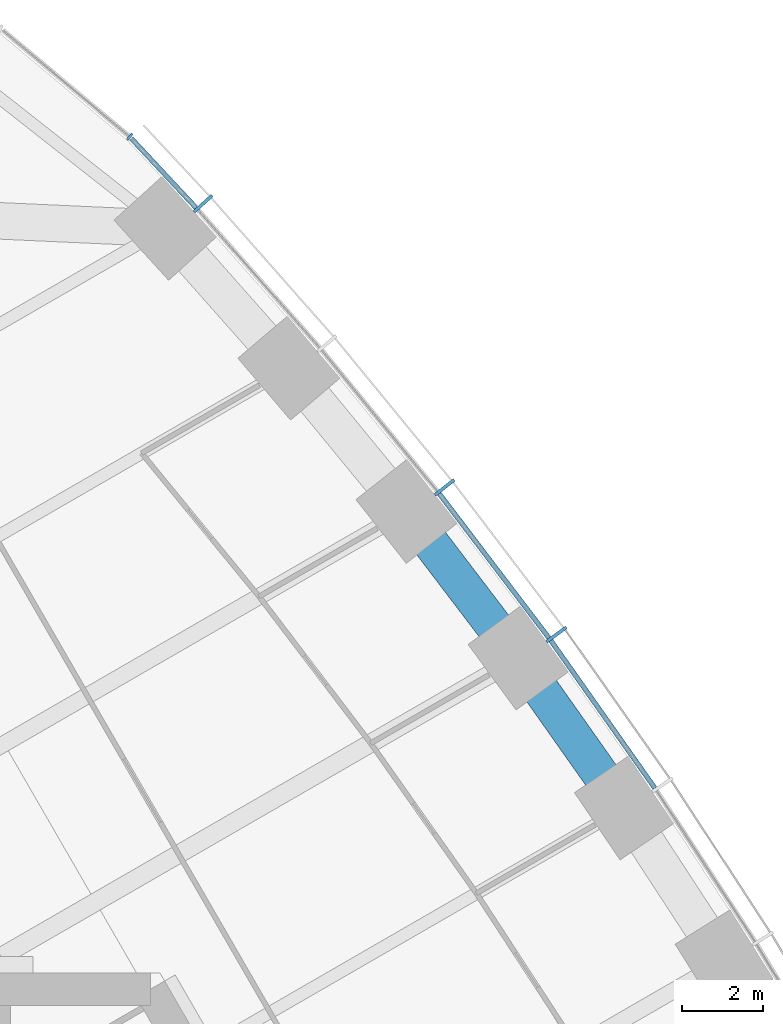
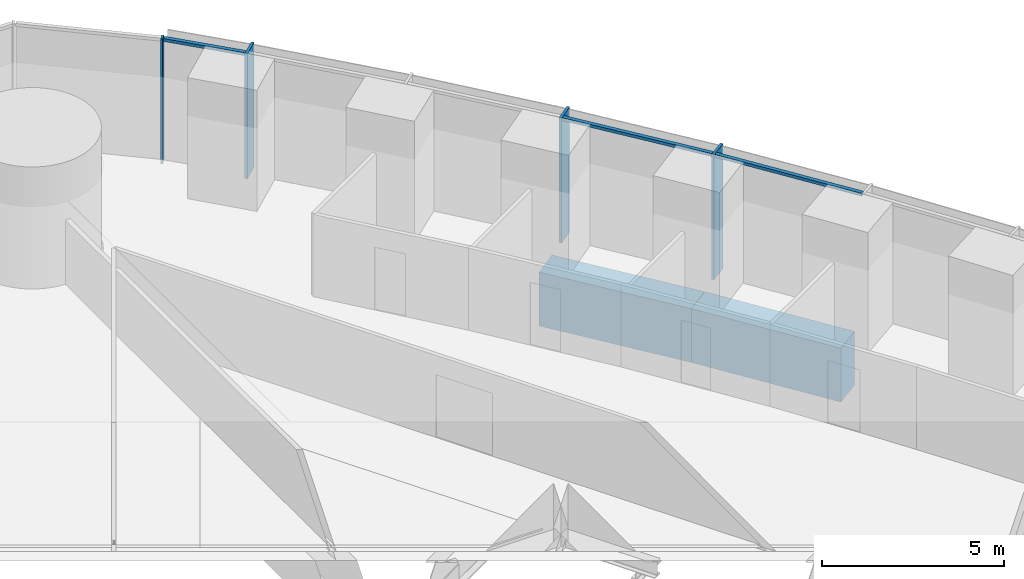
# One storey, part 6 of 19: 7 members, 2 beams, 2 elements without a shape of their own.
"""IFC4 building model written with IfcOpenShell, lengths in metres."""

from ifc_helpers import new_model, si_unit, direction, frame, origin, origin_2d, place, context, subcontext, project, spatial, rectangle, extrude, material, material_profile, profile_set, type_object, element, aggregate, save


model = new_model("IFC4")

# Units and contexts
model_context = context("Model", 3, precision=1e-05, world=origin(), true_north=direction((0.0, 1.0)))
body_context = subcontext(model_context, "Body", "Model", "MODEL_VIEW")
ifc_project = project(units=[si_unit("LENGTHUNIT", "METRE"), si_unit("AREAUNIT", "SQUARE_METRE"), si_unit("VOLUMEUNIT", "CUBIC_METRE"), si_unit("PLANEANGLEUNIT", "RADIAN"), si_unit("MASSUNIT", "GRAM", prefix="KILO")], contexts=[model_context])

# Site, building, storey
site_placement = place(None, origin())
site = spatial("IfcSite", under=ifc_project, at=site_placement, CompositionType="ELEMENT")
building_placement = place(site_placement, origin())
building = spatial("IfcBuilding", under=site, at=building_placement, Name="Trefoil Bronze Tower", CompositionType="ELEMENT")
storey_placement = place(building_placement, frame((0.0, 0.0, 166.10009765625)))
storey = spatial("IfcBuildingStorey", under=building, at=storey_placement, Name="L38", CompositionType="ELEMENT", Elevation=166.10009765625)

# Curtain wall, members
ifc_material_1 = material(Name="Tinted solar-control glass", Category="glass")
curtain_wall_type_1 = type_object("IfcCurtainWallType", Name="Bronze office curtain wall", PredefinedType="USERDEFINED", material=ifc_material_1)
curtain_wall_1_placement = place(storey_placement, origin())
curtain_wall_1 = element("IfcCurtainWall", 1, at=curtain_wall_1_placement, inside=storey, type_object=curtain_wall_type_1, Name="CW-A L38 F2", ObjectType="CURTAIN WALL", PredefinedType="USERDEFINED")
ifc_material_2 = material(Name="Bronze-finish aluminium", Category="aluminium")
ifc_material_profile_1 = material_profile(ifc_material_2, rectangle(XDim=0.60009765625, YDim=0.080078125, at=origin_2d()), Name="CW-A mullion")
ifc_profile_set_1 = profile_set([ifc_material_profile_1], Name="Bronze-finish aluminium")
member_type_1 = type_object("IfcMemberType", Name="Bronze office curtain wall mullion", PredefinedType="MULLION", material=ifc_profile_set_1)
member_1_placement = place(storey_placement, frame((15.764404296875, 24.7275390625, 0.0), z_axis=(0.0, 0.0, 1.0), x_axis=(-0.806874522901, -0.590722865897, 0.0)))
member_1 = element("IfcMember", 2, at=member_1_placement, type_object=member_type_1, Name="CW-A L38 F2 mullion 11", PredefinedType="MULLION", context=body_context, shape_type="SweptSolid", body=[
    extrude(rectangle(XDim=0.60009765625, YDim=0.080078125, at=origin_2d()), origin(), (0.0, 0.0, 1.0), 4.179931640625),
])
member_2_placement = place(storey_placement, frame((13.01220703125, 28.34716796875, 0.0), z_axis=(0.0, 0.0, 1.0), x_axis=(-0.78487913905, -0.619648882098, 0.0)))
member_2 = element("IfcMember", 3, at=member_2_placement, type_object=member_type_1, Name="CW-A L38 F2 mullion 12", PredefinedType="MULLION", context=body_context, shape_type="SweptSolid", body=[
    extrude(rectangle(XDim=0.60009765625, YDim=0.080078125, at=origin_2d()), origin(), (0.0, 0.0, 1.0), 4.179931640625),
])
member_3_placement = place(storey_placement, frame((7.070068359375, 35.332275390625, 0.0), z_axis=(0.0, 0.0, 1.0), x_axis=(-0.740360700327, -0.672209813534, 0.0)))
member_3 = element("IfcMember", 4, at=member_3_placement, type_object=member_type_1, Name="CW-A L38 F2 mullion 14", PredefinedType="MULLION", context=body_context, shape_type="SweptSolid", body=[
    extrude(rectangle(XDim=0.60009765625, YDim=0.080078125, at=origin_2d()), origin(), (0.0, 0.0, 1.0), 4.179931640625),
])
ifc_material_3 = material(Name="Bronze-finish aluminium", Category="aluminium")
ifc_material_profile_2 = material_profile(ifc_material_3, rectangle(XDim=0.1201171875, YDim=0.10009765625, at=origin_2d()), Name="CW-A transom")
ifc_profile_set_2 = profile_set([ifc_material_profile_2], Name="Bronze-finish aluminium")
member_type_2 = type_object("IfcMemberType", Name="Bronze office curtain wall transom", PredefinedType="USERDEFINED", material=ifc_profile_set_2)
member_4_placement = place(storey_placement, frame((18.18359375, 20.947021484375, 4.1298828125), z_axis=(-0.576017858824, 0.817437108478, 0.0), x_axis=(-0.817437108478, -0.576017858824, 0.0)))
member_4 = element("IfcMember", 5, at=member_4_placement, type_object=member_type_2, Name="CW-A L38 F2 transom 10", ObjectType="TRANSOM", PredefinedType="USERDEFINED", context=body_context, shape_type="SweptSolid", body=[
    extrude(rectangle(XDim=0.1201171875, YDim=0.10009765625, at=origin_2d()), origin(), (0.0, 0.0, 1.0), 4.4384765625),
])
member_5_placement = place(storey_placement, frame((15.57763671875, 24.642578125, 4.1298828125), z_axis=(-0.605229114572, 0.796051329296, 0.0), x_axis=(-0.796051329296, -0.605229114572, 0.0)))
member_5 = element("IfcMember", 6, at=member_5_placement, type_object=member_type_2, Name="CW-A L38 F2 transom 11", ObjectType="TRANSOM", PredefinedType="USERDEFINED", context=body_context, shape_type="SweptSolid", body=[
    extrude(rectangle(XDim=0.1201171875, YDim=0.10009765625, at=origin_2d()), origin(), (0.0, 0.0, 1.0), 4.456298828125),
])
member_6_placement = place(storey_placement, frame((6.893798828125, 35.22802734375, 4.1298828125), z_axis=(-0.682489214428, 0.730895664366, 0.0), x_axis=(-0.730895664366, -0.682489214428, 0.0)))
member_6 = element("IfcMember", 7, at=member_6_placement, type_object=member_type_2, Name="CW-A L38 F2 transom 14", ObjectType="TRANSOM", PredefinedType="USERDEFINED", context=body_context, shape_type="SweptSolid", body=[
    extrude(rectangle(XDim=0.1201171875, YDim=0.10009765625, at=origin_2d()), origin(), (0.0, 0.0, 1.0), 2.340087890625),
])
aggregate(curtain_wall_1, [member_1, member_2, member_3, member_4, member_5, member_6])

# Curtain wall, member
ifc_material_4 = material(Name="Tinted solar-control glass", Category="glass")
curtain_wall_type_2 = type_object("IfcCurtainWallType", Name="Bronze rounded corner curtain wall", PredefinedType="USERDEFINED", material=ifc_material_4)
curtain_wall_2_placement = place(storey_placement, origin())
curtain_wall_2 = element("IfcCurtainWall", 8, at=curtain_wall_2_placement, inside=storey, type_object=curtain_wall_type_2, Name="CW-B L38 K2", ObjectType="CURTAIN WALL", PredefinedType="USERDEFINED")
ifc_material_5 = material(Name="Bronze-finish aluminium", Category="aluminium")
ifc_material_profile_3 = material_profile(ifc_material_5, rectangle(XDim=0.199951171875, YDim=0.06005859375, at=origin_2d()), Name="CW-B mullion")
ifc_profile_set_3 = profile_set([ifc_material_profile_3], Name="Bronze-finish aluminium")
member_type_3 = type_object("IfcMemberType", Name="Bronze rounded corner curtain wall mullion", PredefinedType="MULLION", material=ifc_profile_set_3)
member_7_placement = place(storey_placement, frame((5.260498046875, 36.975830078125, 0.0), z_axis=(0.0, 0.0, 1.0), x_axis=(-0.642787609687, -0.766044443119, 0.0)))
member_7 = element("IfcMember", 9, at=member_7_placement, type_object=member_type_3, Name="CW-B L38 K2 mullion 1", PredefinedType="MULLION", context=body_context, shape_type="SweptSolid", body=[
    extrude(rectangle(XDim=0.199951171875, YDim=0.06005859375, at=origin_2d()), origin(), (0.0, 0.0, 1.0), 4.179931640625),
])
aggregate(curtain_wall_2, [member_7])

# Beams
ifc_material_6 = material(Name="Concrete B80", Category="concrete")
ifc_material_profile_4 = material_profile(ifc_material_6, rectangle(XDim=0.89990234375, YDim=1.800048828125, at=origin_2d()), Name="RC 900x1800")
ifc_profile_set_4 = profile_set([ifc_material_profile_4], Name="Concrete B80")
beam_type = type_object("IfcBeamType", Name="Spandrel beam RC 900x1800", PredefinedType="SPANDREL", material=ifc_profile_set_4)
beam_1_placement = place(storey_placement, frame((17.43017578125, 20.45556640625, -1.10009765625), z_axis=(-0.576439228712, 0.81714002203, 0.0), x_axis=(-0.81714002203, -0.576439228712, 0.0)))
element("IfcBeam", 10, at=beam_1_placement, inside=storey, type_object=beam_type, Name="Spandrel F2.10 L38", PredefinedType="SPANDREL", context=body_context, shape_type="SweptSolid", body=[
    extrude(rectangle(XDim=0.89990234375, YDim=1.800048828125, at=origin_2d()), origin(), (0.0, 0.0, 1.0), 4.5185546875),
])
beam_2_placement = place(storey_placement, frame((14.825439453125, 24.14794921875, -1.10009765625), z_axis=(-0.605898901788, 0.795541652468, 0.0), x_axis=(-0.795541652468, -0.605898901788, 0.0)))
element("IfcBeam", 11, at=beam_2_placement, inside=storey, type_object=beam_type, Name="Spandrel F2.11 L38", PredefinedType="SPANDREL", context=body_context, shape_type="SweptSolid", body=[
    extrude(rectangle(XDim=0.89990234375, YDim=1.800048828125, at=origin_2d()), origin(), (0.0, 0.0, 1.0), 4.53662109375),
])

save(model, "model.ifc")
